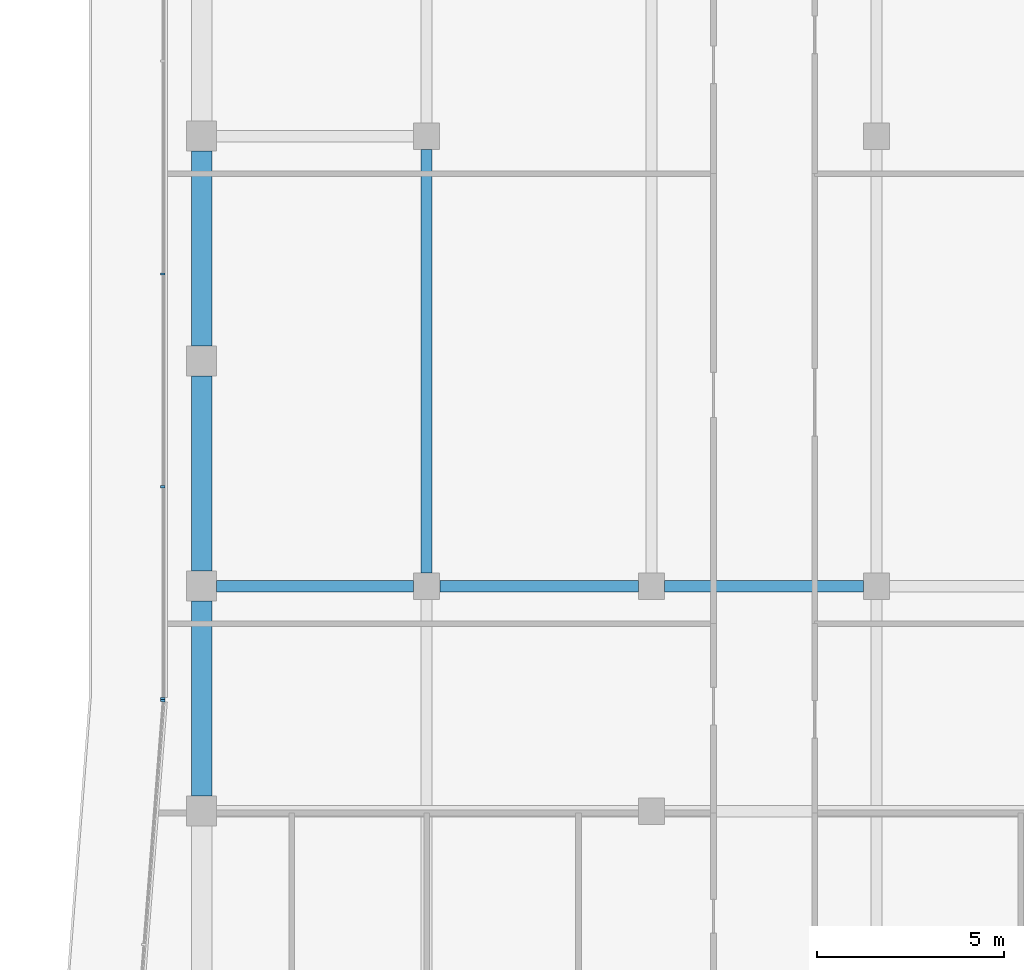
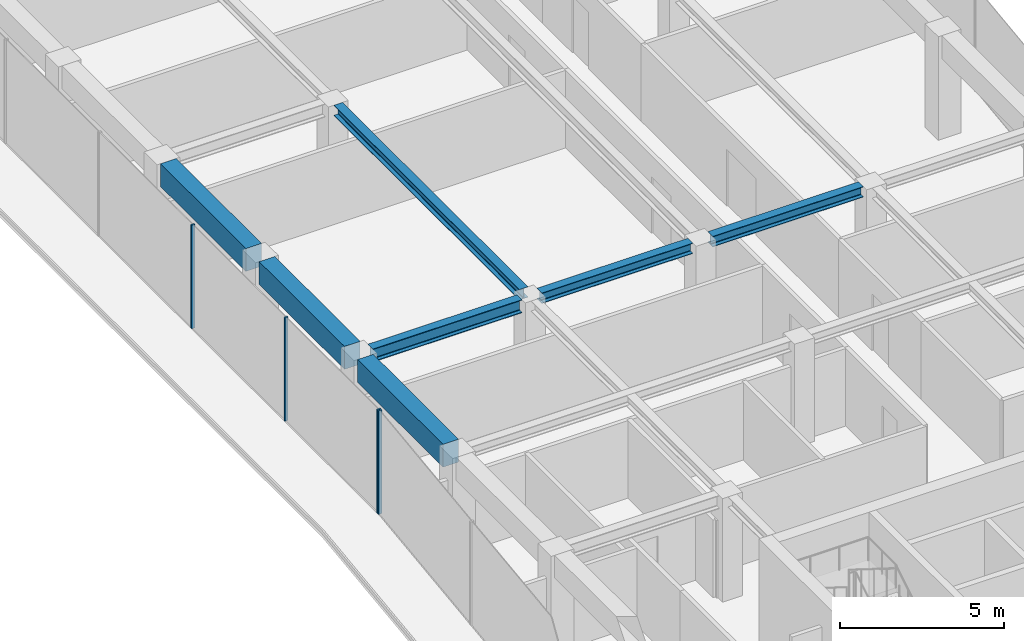
# One storey, part 7 of 23: 7 beams, 4 members, 2 elements without a shape of their own.
"""IFC4 building model written with IfcOpenShell, lengths in metres."""

from ifc_helpers import new_model, si_unit, direction, frame, origin, origin_2d, place, context, subcontext, project, spatial, rectangle, i_section, extrude, material, layer, layer_set, material_profile, profile_set, type_object, element, aggregate, save


model = new_model("IFC4")

# Units and contexts
model_context = context("Model", 3, precision=1e-05, world=origin(), true_north=direction((0.0, 1.0)))
body_context = subcontext(model_context, "Body", "Model", "MODEL_VIEW")
ifc_project = project(units=[si_unit("LENGTHUNIT", "METRE"), si_unit("AREAUNIT", "SQUARE_METRE"), si_unit("VOLUMEUNIT", "CUBIC_METRE"), si_unit("PLANEANGLEUNIT", "RADIAN"), si_unit("MASSUNIT", "GRAM", prefix="KILO")], contexts=[model_context])

# Site, building, storey
site_placement = place(None, origin())
site = spatial("IfcSite", under=ifc_project, at=site_placement, CompositionType="ELEMENT")
building_placement = place(site_placement, origin())
building = spatial("IfcBuilding", under=site, at=building_placement, Name="Welwitschia Terrace Campus", CompositionType="ELEMENT")
storey_placement = place(building_placement, frame((0.0, 0.0, 247.39990234375)))
storey = spatial("IfcBuildingStorey", under=building, at=storey_placement, Name="L55", CompositionType="ELEMENT", Elevation=247.39990234375)

# Beams
ifc_material_1 = material(Name="Steel S355", Category="steel")
ifc_material_profile_1 = material_profile(ifc_material_1, i_section(OverallWidth=0.300048828125, OverallDepth=0.389892578125, WebThickness=0.010986328125, FlangeThickness=0.01904296875, FilletRadius=0.027099609375, at=origin_2d()))
ifc_profile_set_1 = profile_set([ifc_material_profile_1], Name="Steel S355")
beam_type_1 = type_object("IfcBeamType", Name="Interior girder HE 400 A", PredefinedType="BEAM", material=ifc_profile_set_1)
for number, where, z_axis, x_axis, name in (
    (1, (6.3505859375, 40.0, 3.655029296875), (1.0, 0.0, 0.0), (0.0, 1.0, 0.0), "Girder GB5"),
    (2, (12.3505859375, 40.0, 3.655029296875), (1.0, 0.0, 0.0), (0.0, 1.0, 0.0), "Girder GB5"),
):
    element("IfcBeam", number, at=place(storey_placement, frame(where, z_axis=z_axis, x_axis=x_axis)), inside=storey, type_object=beam_type_1, Name=name, PredefinedType="BEAM", context=body_context, shape_type="SweptSolid", body=[
        extrude(i_section(OverallWidth=0.300048828125, OverallDepth=0.389892578125, WebThickness=0.010986328125, FlangeThickness=0.01904296875, FilletRadius=0.027099609375, at=origin_2d()), origin(), (0.0, 0.0, 1.0), 5.298828125),
    ])
beam_1_placement = place(storey_placement, frame((6.0, 40.3505859375, 3.655029296875), z_axis=(0.0, 1.0, 0.0), x_axis=(-1.0, 0.0, 0.0)))
element("IfcBeam", 3, at=beam_1_placement, inside=storey, type_object=beam_type_1, Name="Girder GB5", PredefinedType="BEAM", context=body_context, shape_type="SweptSolid", body=[
    extrude(i_section(OverallWidth=0.300048828125, OverallDepth=0.389892578125, WebThickness=0.010986328125, FlangeThickness=0.01904296875, FilletRadius=0.027099609375, at=origin_2d()), origin(), (0.0, 0.0, 1.0), 11.298828125),
])

# Curtain wall, members
ifc_material_2 = material(Name="Bronze anodised aluminium", Category="aluminium")
ifc_layer = layer(ifc_material_2, 0.1201171875)
ifc_layer_set = layer_set([ifc_layer], Name="Bronze anodised aluminium")
curtain_wall_type = type_object("IfcCurtainWallType", Name="Curtain wall CW2 tower 6000", PredefinedType="NOTDEFINED", material=ifc_layer_set)
curtain_wall_1_placement = place(storey_placement, origin())
curtain_wall_1 = element("IfcCurtainWall", 4, at=curtain_wall_1_placement, inside=storey, type_object=curtain_wall_type, Name="CW L55.0.0", PredefinedType="NOTDEFINED")
ifc_material_3 = material(Name="Bronze anodised aluminium", Category="aluminium")
ifc_material_profile_2 = material_profile(ifc_material_3, rectangle(XDim=0.1201171875, YDim=0.06005859375, at=origin_2d()))
ifc_profile_set_2 = profile_set([ifc_material_profile_2], Name="Bronze anodised aluminium")
member_type = type_object("IfcMemberType", Name="Mullion 60x120", PredefinedType="MULLION", material=ifc_profile_set_2)
member_1_placement = place(storey_placement, frame((-1.030029296875, 48.328369140625, 0.0), z_axis=(0.0, 0.0, 1.0), x_axis=(1.0, 0.0, 0.0)))
member_1 = element("IfcMember", 5, at=member_1_placement, type_object=member_type, Name="Mullion L55.0.0.4", PredefinedType="MULLION", context=body_context, shape_type="SweptSolid", body=[
    extrude(rectangle(XDim=0.1201171875, YDim=0.06005859375, at=origin_2d()), origin(), (0.0, 0.0, 1.0), 3.85009765625),
])
member_2_placement = place(storey_placement, frame((-1.030029296875, 42.653076171875, 0.0), z_axis=(0.0, 0.0, 1.0), x_axis=(1.0, 0.0, 0.0)))
member_2 = element("IfcMember", 6, at=member_2_placement, type_object=member_type, Name="Mullion L55.0.0.5", PredefinedType="MULLION", context=body_context, shape_type="SweptSolid", body=[
    extrude(rectangle(XDim=0.1201171875, YDim=0.06005859375, at=origin_2d()), origin(), (0.0, 0.0, 1.0), 3.85009765625),
])
member_3_placement = place(storey_placement, frame((-1.030029296875, 37.007568359375, 0.0), z_axis=(0.0, 0.0, 1.0), x_axis=(1.0, 0.0, 0.0)))
member_3 = element("IfcMember", 7, at=member_3_placement, type_object=member_type, Name="Mullion L55.0.0.6", PredefinedType="MULLION", context=body_context, shape_type="SweptSolid", body=[
    extrude(rectangle(XDim=0.1201171875, YDim=0.06005859375, at=origin_2d()), origin(), (0.0, 0.0, 1.0), 3.85009765625),
])
aggregate(curtain_wall_1, [member_1, member_2, member_3])

# Curtain wall, member
curtain_wall_2_placement = place(storey_placement, origin())
curtain_wall_2 = element("IfcCurtainWall", 8, at=curtain_wall_2_placement, inside=storey, type_object=curtain_wall_type, Name="CW L55.1.0", PredefinedType="NOTDEFINED")
member_4_placement = place(storey_placement, frame((-1.032470703125, 36.94775390625, 0.0), z_axis=(0.0, 0.0, 1.0), x_axis=(0.996917333733, -0.078459095728, 0.0)))
member_4 = element("IfcMember", 9, at=member_4_placement, type_object=member_type, Name="Mullion L55.1.0.0", PredefinedType="MULLION", context=body_context, shape_type="SweptSolid", body=[
    extrude(rectangle(XDim=0.1201171875, YDim=0.06005859375, at=origin_2d()), origin(), (0.0, 0.0, 1.0), 3.85009765625),
])
aggregate(curtain_wall_2, [member_4])

# Beams
ifc_material_4 = material(Name="Steel S355", Category="steel")
ifc_material_profile_3 = material_profile(ifc_material_4, i_section(OverallWidth=0.300048828125, OverallDepth=0.489990234375, WebThickness=0.011962890625, FlangeThickness=0.02294921875, FilletRadius=0.027099609375, at=origin_2d()))
ifc_profile_set_3 = profile_set([ifc_material_profile_3], Name="Steel S355")
beam_type_2 = type_object("IfcBeamType", Name="Primary beam HE 500 A", PredefinedType="BEAM", material=ifc_profile_set_3)
beam_2_placement = place(storey_placement, frame((0.400390625, 40.0, 3.60498046875), z_axis=(1.0, 0.0, 0.0), x_axis=(0.0, 1.0, 0.0)))
element("IfcBeam", 10, at=beam_2_placement, inside=storey, type_object=beam_type_2, Name="Primary beam PB5", PredefinedType="BEAM", context=body_context, shape_type="SweptSolid", body=[
    extrude(i_section(OverallWidth=0.300048828125, OverallDepth=0.489990234375, WebThickness=0.011962890625, FlangeThickness=0.02294921875, FilletRadius=0.027099609375, at=origin_2d()), origin(), (0.0, 0.0, 1.0), 5.2490234375),
])
ifc_material_5 = material(Name="Concrete C50/60", Category="concrete")
ifc_material_profile_4 = material_profile(ifc_material_5, rectangle(XDim=0.550048828125, YDim=0.85009765625, at=origin_2d()))
ifc_profile_set_4 = profile_set([ifc_material_profile_4], Name="Concrete C50/60")
beam_type_3 = type_object("IfcBeamType", Name="Ring spandrel 550x850", PredefinedType="SPANDREL", material=ifc_profile_set_4)
for number, where, z_axis, x_axis, name in (
    (11, (0.0, 51.599609375, 3.425048828125), (0.0, -1.0, 0.0), (1.0, 0.0, 0.0), "Spandrel SP3"),
    (12, (0.0, 45.599609375, 3.425048828125), (0.0, -1.0, 0.0), (1.0, 0.0, 0.0), "Spandrel SP3"),
    (13, (0.0, 39.599609375, 3.425048828125), (0.0, -1.0, 0.0), (1.0, 0.0, 0.0), "Spandrel SP3"),
):
    element("IfcBeam", number, at=place(storey_placement, frame(where, z_axis=z_axis, x_axis=x_axis)), inside=storey, type_object=beam_type_3, Name=name, PredefinedType="SPANDREL", context=body_context, shape_type="SweptSolid", body=[
        extrude(rectangle(XDim=0.550048828125, YDim=0.85009765625, at=origin_2d()), origin(), (0.0, 0.0, 1.0), 5.19921875),
    ])

save(model, "model.ifc")
